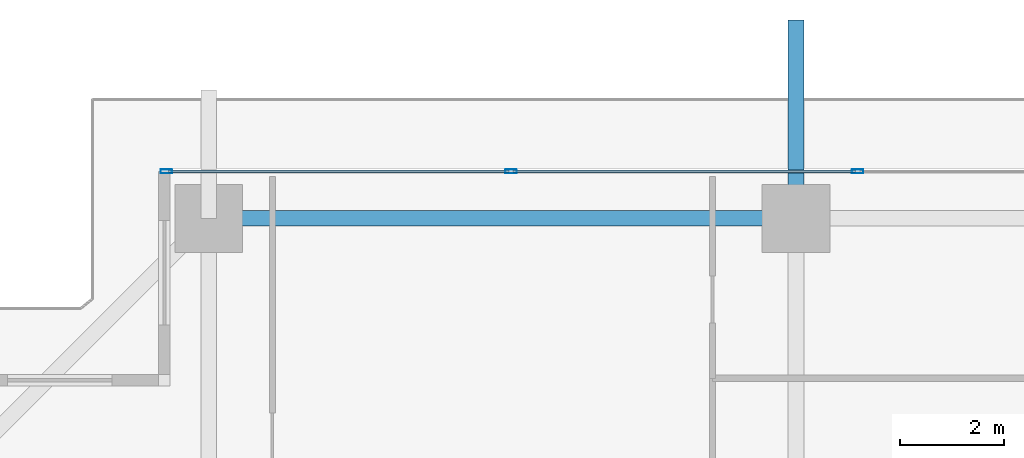
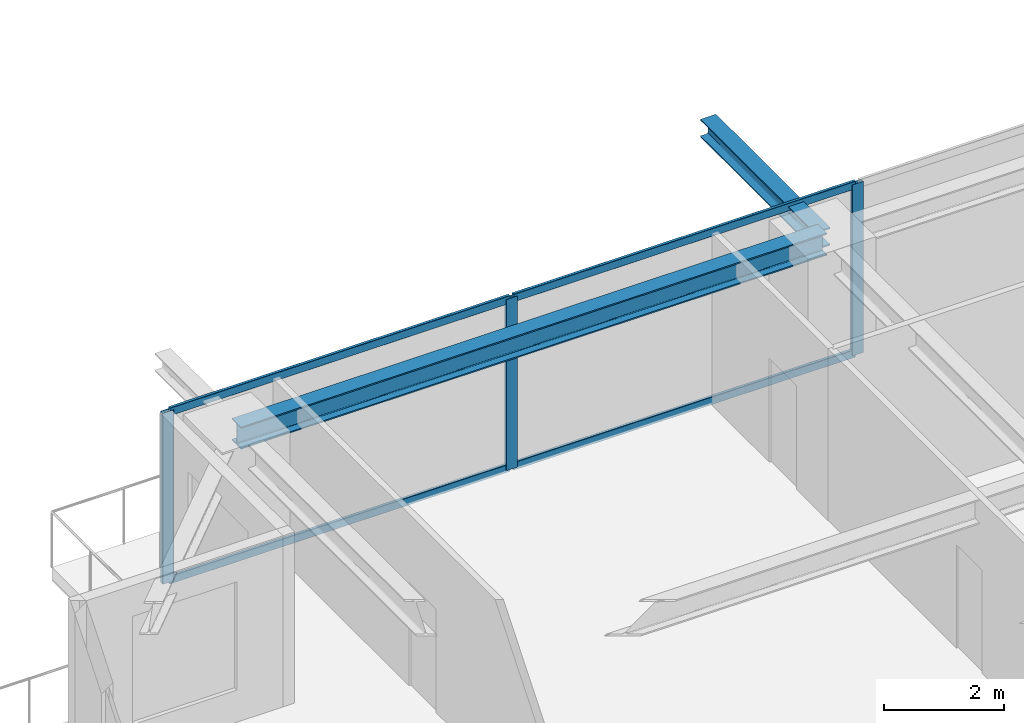
# One storey, part 19 of 35: 7 members, 2 beams, 1 element without a shape of its own.
"""IFC4 building model written with IfcOpenShell, lengths in metres."""

from ifc_helpers import new_model, si_unit, direction, frame, origin, origin_2d, place, context, subcontext, project, spatial, hollow_rectangle, i_section, extrude, source, transform, mapped, material, layer, layer_set, material_profile, profile_set, type_object, element, aggregate, save


model = new_model("IFC4")

# Units and contexts
model_context = context("Model", 3, precision=1e-05, world=origin(), true_north=direction((0.0, 1.0)))
body_context = subcontext(model_context, "Body", "Model", "MODEL_VIEW")
ifc_project = project(units=[si_unit("LENGTHUNIT", "METRE"), si_unit("AREAUNIT", "SQUARE_METRE"), si_unit("VOLUMEUNIT", "CUBIC_METRE"), si_unit("PLANEANGLEUNIT", "RADIAN"), si_unit("MASSUNIT", "GRAM", prefix="KILO")], contexts=[model_context])

# Site, building, storey
site_placement = place(None, origin())
site = spatial("IfcSite", under=ifc_project, at=site_placement, CompositionType="ELEMENT")
building_placement = place(site_placement, origin())
building = spatial("IfcBuilding", under=site, at=building_placement, Name="Serunith Strait Residences", CompositionType="ELEMENT")
storey_placement = place(building_placement, frame((0.0, 0.0, 191.39990234375)))
storey = spatial("IfcBuildingStorey", under=building, at=storey_placement, Name="L48", CompositionType="ELEMENT", Elevation=191.39990234375)

# Beams
ifc_material_1 = material(Name="Steel S355J2", Category="steel")
ifc_material_profile_1 = material_profile(ifc_material_1, i_section(OverallWidth=0.300048828125, OverallDepth=0.449951171875, WebThickness=0.013916015625, FlangeThickness=0.02587890625, FilletRadius=0.027099609375, at=origin_2d()), Name="HEB 450")
ifc_profile_set_1 = profile_set([ifc_material_profile_1], Name="Steel S355J2")
beam_type_1 = type_object("IfcBeamType", Name="BM-HEB450", PredefinedType="BEAM", material=ifc_profile_set_1)
shared_shape_1 = source(origin(), body_context, "Body", "SweptSolid", [
    extrude(i_section(OverallWidth=0.300048828125, OverallDepth=0.449951171875, WebThickness=0.013916015625, FlangeThickness=0.02587890625, FilletRadius=0.027099609375, at=origin_2d()), origin(), (0.0, 0.0, 1.0), 11.25),
])
beam_1_placement = place(storey_placement, frame((27.89990234375, 48.10009765625, 3.26220703125), z_axis=(-1.0, 0.0, 0.0), x_axis=(0.0, -1.0, 0.0)))
element("IfcBeam", 1, at=beam_1_placement, inside=storey, type_object=beam_type_1, Name="L48 Perimeter Ring Beam 11", PredefinedType="BEAM", context=body_context, shape_type="MappedRepresentation", body=[
    mapped(shared_shape_1, transform((0.0, 0.0, 0.0), scale=1.0)),
])
ifc_material_profile_2 = material_profile(ifc_material_1, i_section(OverallWidth=0.300048828125, OverallDepth=0.360107421875, WebThickness=0.012451171875, FlangeThickness=0.0224609375, FilletRadius=0.027099609375, at=origin_2d()), Name="HEB 360")
ifc_profile_set_2 = profile_set([ifc_material_profile_2], Name="Steel S355J2")
beam_type_2 = type_object("IfcBeamType", Name="BM-HEB360", PredefinedType="BEAM", material=ifc_profile_set_2)
shared_shape_2 = source(origin(), body_context, "Body", "SweptSolid", [
    extrude(i_section(OverallWidth=0.300048828125, OverallDepth=0.360107421875, WebThickness=0.012451171875, FlangeThickness=0.0224609375, FilletRadius=0.027099609375, at=origin_2d()), origin(), (0.0, 0.0, 1.0), 3.7998046875),
])
beam_2_placement = place(storey_placement, frame((27.89990234375, 48.10009765625, 3.277099609375), z_axis=(0.0, 1.0, 0.0), x_axis=(-1.0, 0.0, 0.0)))
element("IfcBeam", 2, at=beam_2_placement, inside=storey, type_object=beam_type_2, Name="L49 Cantilevered Balcony Rib TC-N2", PredefinedType="BEAM", context=body_context, shape_type="MappedRepresentation", body=[
    mapped(shared_shape_2, transform((0.0, 0.0, 0.0), scale=1.0)),
])

# Curtain wall, members
ifc_material_2 = material(Name="Pale-Silver PVDF Aluminium", Category="aluminium")
ifc_layer = layer(ifc_material_2, 0.199951171875, Name="Pale-Silver PVDF Aluminium")
ifc_layer_set = layer_set([ifc_layer], Name="Pale-Silver PVDF Aluminium")
curtain_wall_type = type_object("IfcCurtainWallType", Name="CW-SYS3", PredefinedType="NOTDEFINED", material=ifc_layer_set)
curtain_wall_placement = place(storey_placement, origin())
curtain_wall = element("IfcCurtainWall", 3, at=curtain_wall_placement, inside=storey, type_object=curtain_wall_type, Name="L48 N Unitised Fritted Curtain Wall", PredefinedType="NOTDEFINED")
ifc_material_profile_3 = material_profile(ifc_material_2, hollow_rectangle(XDim=0.074951171875, YDim=0.219970703125, WallThickness=0.00390625, InnerFilletRadius=0.006103515625, OuterFilletRadius=0.010009765625, at=origin_2d()), Name="ALU 220x75x4")
ifc_profile_set_3 = profile_set([ifc_material_profile_3], Name="Pale-Silver PVDF Aluminium")
member_type_1 = type_object("IfcMemberType", Name="CW-SYS3-MULL", PredefinedType="MULLION", material=ifc_profile_set_3)
shared_shape_3 = source(origin(), body_context, "Body", "SweptSolid", [
    extrude(hollow_rectangle(XDim=0.074951171875, YDim=0.219970703125, WallThickness=0.00390625, InnerFilletRadius=0.006103515625, OuterFilletRadius=0.010009765625, at=origin_2d()), origin(), (0.0, 0.0, 1.0), 3.47509765625),
])
member_1_placement = place(storey_placement, frame((29.080078125, 49.0, 0.0), z_axis=(0.0, 0.0, 1.0), x_axis=(0.0, -1.0, 0.0)))
member_1 = element("IfcMember", 4, at=member_1_placement, type_object=member_type_1, Name="CW-3 mullion 4", PredefinedType="MULLION", context=body_context, shape_type="MappedRepresentation", body=[
    mapped(shared_shape_3, transform((0.0, 0.0, 0.0), scale=1.0)),
])
member_2_placement = place(storey_placement, frame((22.43994140625, 49.0, 0.0), z_axis=(0.0, 0.0, 1.0), x_axis=(0.0, -1.0, 0.0)))
member_2 = element("IfcMember", 5, at=member_2_placement, type_object=member_type_1, Name="CW-3 mullion 5", PredefinedType="MULLION", context=body_context, shape_type="MappedRepresentation", body=[
    mapped(shared_shape_3, transform((0.0, 0.0, 0.0), scale=1.0)),
])
member_3_placement = place(storey_placement, frame((15.83740234375, 49.0, 0.0), z_axis=(0.0, 0.0, 1.0), x_axis=(0.0, -1.0, 0.0)))
member_3 = element("IfcMember", 6, at=member_3_placement, type_object=member_type_1, Name="CW-3 mullion 6", PredefinedType="MULLION", context=body_context, shape_type="MappedRepresentation", body=[
    mapped(shared_shape_3, transform((0.0, 0.0, 0.0), scale=1.0)),
])
ifc_material_profile_4 = material_profile(ifc_material_2, hollow_rectangle(XDim=0.06005859375, YDim=0.159912109375, WallThickness=0.00341796875, InnerFilletRadius=0.00537109375, OuterFilletRadius=0.0087890625, at=origin_2d()), Name="ALU 160x60x3.5")
ifc_profile_set_4 = profile_set([ifc_material_profile_4], Name="Pale-Silver PVDF Aluminium")
member_type_2 = type_object("IfcMemberType", Name="CW-SYS3-TRAN", PredefinedType="USERDEFINED", material=ifc_profile_set_4)
shared_shape_4 = source(origin(), body_context, "Body", "SweptSolid", [
    extrude(hollow_rectangle(XDim=0.06005859375, YDim=0.159912109375, WallThickness=0.00341796875, InnerFilletRadius=0.00537109375, OuterFilletRadius=0.0087890625, at=origin_2d()), origin(), (0.0, 0.0, 1.0), 6.527587890625),
])
member_4_placement = place(storey_placement, frame((22.402587890625, 49.0, 0.030029296875), z_axis=(-1.0, 0.0, 0.0), x_axis=(0.0, -1.0, 0.0)))
member_4 = element("IfcMember", 7, at=member_4_placement, type_object=member_type_2, Name="CW-3 transom 5.1", ObjectType="TRANSOM", PredefinedType="USERDEFINED", context=body_context, shape_type="MappedRepresentation", body=[
    mapped(shared_shape_4, transform((0.0, 0.0, 0.0), scale=1.0)),
])
member_5_placement = place(storey_placement, frame((22.402587890625, 49.0, 3.445068359375), z_axis=(-1.0, 0.0, 0.0), x_axis=(0.0, -1.0, 0.0)))
member_5 = element("IfcMember", 8, at=member_5_placement, type_object=member_type_2, Name="CW-3 transom 5.2", ObjectType="TRANSOM", PredefinedType="USERDEFINED", context=body_context, shape_type="MappedRepresentation", body=[
    mapped(shared_shape_4, transform((0.0, 0.0, 0.0), scale=1.0)),
])
shared_shape_5 = source(origin(), body_context, "Body", "SweptSolid", [
    extrude(hollow_rectangle(XDim=0.06005859375, YDim=0.159912109375, WallThickness=0.00341796875, InnerFilletRadius=0.00537109375, OuterFilletRadius=0.0087890625, at=origin_2d()), origin(), (0.0, 0.0, 1.0), 6.56494140625),
])
member_6_placement = place(storey_placement, frame((29.04248046875, 49.0, 0.030029296875), z_axis=(-1.0, 0.0, 0.0), x_axis=(0.0, -1.0, 0.0)))
member_6 = element("IfcMember", 9, at=member_6_placement, type_object=member_type_2, Name="CW-3 transom 4.1", ObjectType="TRANSOM", PredefinedType="USERDEFINED", context=body_context, shape_type="MappedRepresentation", body=[
    mapped(shared_shape_5, transform((0.0, 0.0, 0.0), scale=1.0)),
])
member_7_placement = place(storey_placement, frame((29.04248046875, 49.0, 3.445068359375), z_axis=(-1.0, 0.0, 0.0), x_axis=(0.0, -1.0, 0.0)))
member_7 = element("IfcMember", 10, at=member_7_placement, type_object=member_type_2, Name="CW-3 transom 4.2", ObjectType="TRANSOM", PredefinedType="USERDEFINED", context=body_context, shape_type="MappedRepresentation", body=[
    mapped(shared_shape_5, transform((0.0, 0.0, 0.0), scale=1.0)),
])
aggregate(curtain_wall, [member_1, member_2, member_3, member_6, member_7, member_4, member_5])

save(model, "model.ifc")
